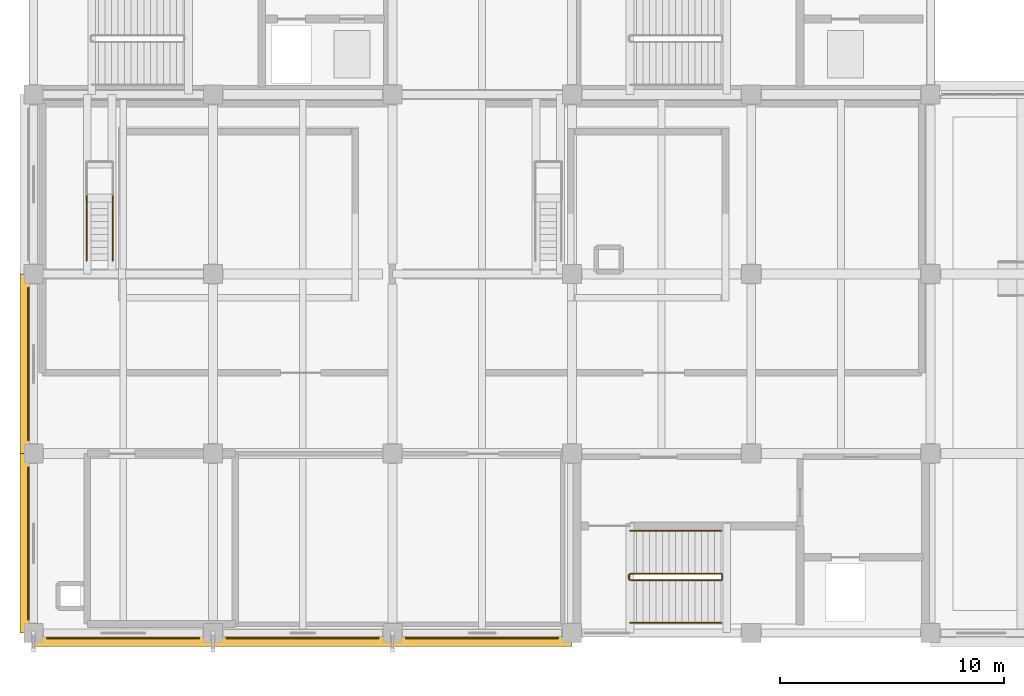
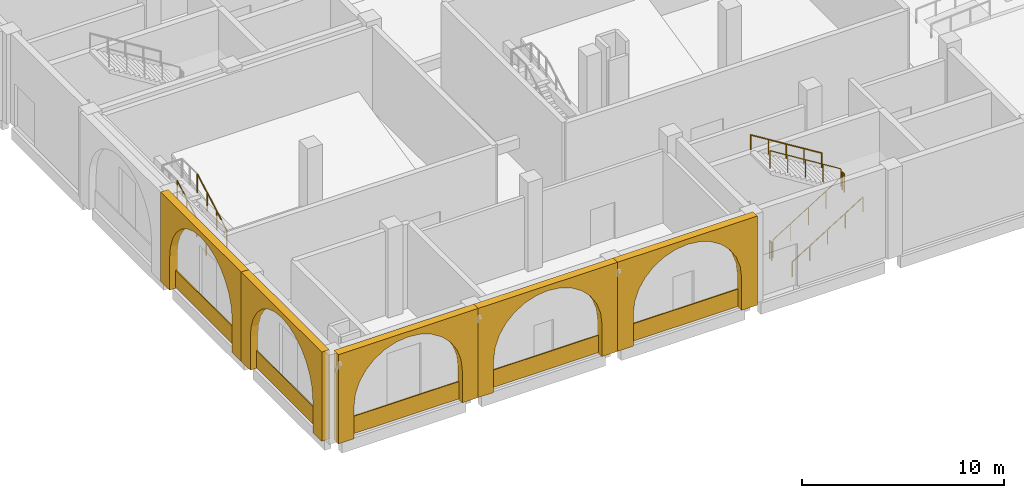
# One storey, part 30 of 40: 10 coverings, 8 railings.
"""IFC4 building model written with IfcOpenShell, lengths in metres."""

import ifcopenshell
import ifcopenshell.guid

model = None  # the IFC model being written
_history = None  # IfcOwnerHistory: only IFC2X3 demands one
_inside = {}  # id of a spatial element -> (the spatial element, [elements in it])
_under = {}  # id of a project, library or spatial element -> (it, [spatial elements below it])
_declared = {}  # id of a project -> (the project, [libraries it declares])
_typed = {}  # id of a type object -> (the type object, [elements of that type])
_made_of = {}  # id of a material, layer set ... -> (it, [elements and type objects made of it])


def new_model(schema):
    """Start an empty IFC model of exactly this schema.

    Asked for "IFC4X3", IfcOpenShell would pick the latest addendum, in which some entities
    have other attributes; the version numbers below select the first issue.
    IFC2X3 requires an IfcOwnerHistory on every rooted entity: one is made here for all.
    """
    global model, _history
    if schema == "IFC4X3":
        model = ifcopenshell.file(schema_version=(4, 3, 0, 0))
    else:
        model = ifcopenshell.file(schema=schema)
    _inside.clear()
    _under.clear()
    _declared.clear()
    _typed.clear()
    _made_of.clear()
    _history = None
    if model.schema == "IFC2X3":
        org = make("IfcOrganization", Name="unknown")
        user = make(
            "IfcPersonAndOrganization",
            ThePerson=make("IfcPerson", FamilyName="unknown"),
            TheOrganization=org,
        )
        app = make(
            "IfcApplication",
            ApplicationDeveloper=org,
            Version="unknown",
            ApplicationFullName="unknown",
            ApplicationIdentifier="unknown",
        )
        _history = make(
            "IfcOwnerHistory",
            OwningUser=user,
            OwningApplication=app,
            ChangeAction="ADDED",
            CreationDate=0,
        )
    return model


def make(cls, **values):
    """One entity of the class cls with the attributes given. An attribute that is None is left unset."""
    return model.create_entity(
        cls, **{name: value for name, value in values.items() if value is not None}
    )


def rooted(cls, **values):
    """An entity with a GlobalId (a new one), such as an element, a storey or a relation."""
    return make(cls, GlobalId=ifcopenshell.guid.new(), OwnerHistory=_history, **values)


def si_unit(unit_type, name, prefix=None):
    """IfcSIUnit, for example si_unit("LENGTHUNIT", "METRE", prefix="MILLI")."""
    return make("IfcSIUnit", UnitType=unit_type, Prefix=prefix, Name=name)


def assignment(units):
    """IfcUnitAssignment: the units of a project."""
    return None if units is None else make("IfcUnitAssignment", Units=units)


def point(xyz):
    """IfcCartesianPoint."""
    return None if xyz is None else make("IfcCartesianPoint", Coordinates=xyz)


def direction(xyz):
    """IfcDirection."""
    return None if xyz is None else make("IfcDirection", DirectionRatios=xyz)


def frame(location, z_axis=None, x_axis=None):
    """IfcAxis2Placement3D, a coordinate frame: its origin and axes. An axis left out is left unset."""
    return make(
        "IfcAxis2Placement3D",
        Location=point(location),
        Axis=direction(z_axis),
        RefDirection=direction(x_axis),
    )


def frame_2d(location, x_axis=None):
    """IfcAxis2Placement2D, a coordinate frame in the plane: its origin and x axis."""
    return make(
        "IfcAxis2Placement2D", Location=point(location), RefDirection=direction(x_axis)
    )


def origin():
    """The frame at (0, 0, 0) with its axes left unset."""
    return frame((0.0, 0.0, 0.0))


def origin_2d():
    """The frame at (0, 0) in the plane with its x axis left unset."""
    return frame_2d((0.0, 0.0))


def place(relative_to, where):
    """IfcLocalPlacement: puts the frame where relative to a parent placement (None: the world)."""
    return make(
        "IfcLocalPlacement", PlacementRelTo=relative_to, RelativePlacement=where
    )


def context(
    kind, dimensions, precision=None, world=None, true_north=None, identifier=None
):
    """IfcGeometricRepresentationContext, for example the 3D "Model" context."""
    return make(
        "IfcGeometricRepresentationContext",
        ContextIdentifier=identifier,
        ContextType=kind,
        CoordinateSpaceDimension=dimensions,
        Precision=precision,
        WorldCoordinateSystem=world,
        TrueNorth=true_north,
    )


def subcontext(parent, identifier, kind, view, scale=None):
    """IfcGeometricRepresentationSubContext, for example "Body" below "Model"."""
    return make(
        "IfcGeometricRepresentationSubContext",
        ContextIdentifier=identifier,
        ContextType=kind,
        ParentContext=parent,
        TargetScale=scale,
        TargetView=view,
    )


def project(units=None, contexts=None):
    """IfcProject with its units and contexts."""
    return rooted(
        "IfcProject",
        Name="project",
        RepresentationContexts=contexts,
        UnitsInContext=assignment(units),
    )


def spatial(cls, under=None, at=None, **own):
    """A site, building, storey or space (cls), placed at a placement, below another one or the project."""
    s = rooted(cls, ObjectPlacement=at, **own)
    if under is not None:
        _under.setdefault(under.id(), (under, []))[1].append(s)
    return s


def polyline(points):
    """IfcPolyline through the points."""
    return make("IfcPolyline", Points=[point(p) for p in points])


def profile(cls, at=None, kind="AREA", **sizes):
    """A parametric profile (cls). Its sizes go by their IFC names, for example OverallWidth=200.0."""
    return make(cls, ProfileType=kind, Position=at, **sizes)


def rectangle(**sizes):
    """IfcRectangleProfileDef."""
    return profile("IfcRectangleProfileDef", **sizes)


def circle(**sizes):
    """IfcCircleProfileDef."""
    return profile("IfcCircleProfileDef", **sizes)


def outline(outer, holes=None, kind="AREA"):
    """IfcArbitraryClosedProfileDef: a profile drawn as a closed curve; with holes, ...WithVoids."""
    if holes is None:
        return make("IfcArbitraryClosedProfileDef", ProfileType=kind, OuterCurve=outer)
    return make(
        "IfcArbitraryProfileDefWithVoids",
        ProfileType=kind,
        OuterCurve=outer,
        InnerCurves=holes,
    )


def extrude(swept, where, along, depth):
    """IfcExtrudedAreaSolid: the profile swept, set in the frame where, extruded along a direction by depth."""
    return make(
        "IfcExtrudedAreaSolid",
        SweptArea=swept,
        Position=where,
        ExtrudedDirection=direction(along),
        Depth=depth,
    )


def shape(context_of_items, identifier, shape_type, items):
    """IfcShapeRepresentation: the items that make up one representation, for example the "Body"."""
    return make(
        "IfcShapeRepresentation",
        ContextOfItems=context_of_items,
        RepresentationIdentifier=identifier,
        RepresentationType=shape_type,
        Items=items,
    )


def material(Name=None, Category=None):
    """IfcMaterial."""
    return make("IfcMaterial", Name=Name, Category=Category)


def layer(
    of_material, thickness, ventilated=None, Name=None, Category=None, Priority=None
):
    """IfcMaterialLayer: one layer of a wall or slab, of a material (None: an air gap)."""
    return make(
        "IfcMaterialLayer",
        Material=of_material,
        LayerThickness=thickness,
        IsVentilated=ventilated,
        Name=Name,
        Category=Category,
        Priority=Priority,
    )


def layer_set(layers, Name=None):
    """IfcMaterialLayerSet."""
    return make("IfcMaterialLayerSet", MaterialLayers=layers, LayerSetName=Name)


def made_of(thing, what):
    """Note that an element or type object is made of a material, layer set ...; save() writes the relation."""
    if what is not None:
        _made_of.setdefault(what.id(), (what, []))[1].append(thing)
    return thing


def type_object(cls, material=None, **own):
    """A type object (cls), such as IfcWallType, which elements share."""
    return made_of(rooted(cls, **own), material)


def element(
    cls,
    number,
    at=None,
    inside=None,
    cuts=None,
    type_object=None,
    material=None,
    context=None,
    identifier="Body",
    shape_type=None,
    held_by="IfcProductDefinitionShape",
    body=None,
    shapes=None,
    **own,
):
    """One element of the class cls, such as IfcWall. Its Tag is "e" and its number.

    at: its placement. inside: the storey or other place that contains it. cuts: it is an
    opening in that element (IfcRelVoidsElement). A single representation is given by context,
    identifier, shape_type and body (its items); several are given by shapes. held_by: the class
    of the entity that holds the representations. save() writes the other relations.
    """
    e = rooted(cls, Tag="e%d" % number, ObjectPlacement=at, **own)
    if body is not None:
        shapes = [shape(context, identifier, shape_type, body)]
    if shapes is not None:
        e.Representation = make(held_by, Representations=shapes)
    if inside is not None:
        _inside.setdefault(inside.id(), (inside, []))[1].append(e)
    if cuts is not None:
        rooted(
            "IfcRelVoidsElement", RelatingBuildingElement=cuts, RelatedOpeningElement=e
        )
    if type_object is not None:
        _typed.setdefault(type_object.id(), (type_object, []))[1].append(e)
    return made_of(e, material)


def aggregate(whole, parts):
    """IfcRelAggregates: a whole, such as a stair, and the parts it consists of."""
    return rooted("IfcRelAggregates", RelatingObject=whole, RelatedObjects=parts)


def save(model, path):
    """Write the relations noted so far, then the file.

    IfcRelAggregates (storeys below a building ...), IfcRelContainedInSpatialStructure (elements
    in a storey), IfcRelDefinesByType, IfcRelAssociatesMaterial and IfcRelDeclares: one each for
    every whole, place, type object, material and project.
    """
    for whole, parts in _under.values():
        aggregate(whole, parts)
    for where, things in _inside.values():
        rooted(
            "IfcRelContainedInSpatialStructure",
            RelatedElements=things,
            RelatingStructure=where,
        )
    for kind, things in _typed.values():
        rooted("IfcRelDefinesByType", RelatedObjects=things, RelatingType=kind)
    for what, things in _made_of.values():
        rooted("IfcRelAssociatesMaterial", RelatedObjects=things, RelatingMaterial=what)
    for by, libraries in _declared.values():
        rooted("IfcRelDeclares", RelatingContext=by, RelatedDefinitions=libraries)
    model.write(path)


model = new_model("IFC4")

# Units and contexts
model_context = context("Model", 3, precision=1e-05, world=origin(), true_north=direction((0.0, 1.0)))
body_context = subcontext(model_context, "Body", "Model", "MODEL_VIEW")
ifc_project = project(units=[si_unit("LENGTHUNIT", "METRE"), si_unit("AREAUNIT", "SQUARE_METRE"), si_unit("VOLUMEUNIT", "CUBIC_METRE"), si_unit("PLANEANGLEUNIT", "RADIAN"), si_unit("MASSUNIT", "GRAM", prefix="KILO")], contexts=[model_context])

# Site, building, storey
site_placement = place(None, origin())
site = spatial("IfcSite", under=ifc_project, at=site_placement, CompositionType="ELEMENT")
building_placement = place(site_placement, origin())
building = spatial("IfcBuilding", under=site, at=building_placement, Name="Qorikala Patio Media Centre", CompositionType="ELEMENT")
storey_placement = place(building_placement, origin())
storey = spatial("IfcBuildingStorey", under=building, at=storey_placement, Name="L00", CompositionType="ELEMENT", Elevation=0.0)

# Coverings
ifc_material_1 = material(Name="Comanche Granite Ashlar Stone", Category="masonry")
ifc_layer = layer(ifc_material_1, 0.06005859375)
ifc_layer_set = layer_set([ifc_layer], Name="Comanche Granite Ashlar Stone")
covering_type = type_object("IfcCoveringType", Name="COV-CLAD-STONE", PredefinedType="CLADDING", material=ifc_layer_set)
for number, where, z_axis, x_axis, name in (
    (1, (23.0, 2.780029296875, 0.02490234375), (0.0, 0.0, 1.0), (-1.0, 0.0, 0.0), "L00 Comanche Granite Plinth Cladding 001"),
    (2, (15.0, 2.780029296875, 0.02490234375), (0.0, 0.0, 1.0), (-1.0, 0.0, 0.0), "L00 Comanche Granite Plinth Cladding 002"),
    (3, (7.0, 2.780029296875, 0.02490234375), (0.0, 0.0, 1.0), (-1.0, 0.0, 0.0), "L00 Comanche Granite Plinth Cladding 003"),
    (4, (2.780029296875, 7.0, 0.02490234375), (0.0, 0.0, 1.0), (0.0, 1.0, 0.0), "L00 Comanche Granite Plinth Cladding 004"),
    (5, (2.780029296875, 15.0, 0.02490234375), (0.0, 0.0, 1.0), (0.0, 1.0, 0.0), "L00 Comanche Granite Plinth Cladding 005"),
):
    element("IfcCovering", number, at=place(storey_placement, frame(where, z_axis=z_axis, x_axis=x_axis)), inside=storey, type_object=covering_type, Name=name, PredefinedType="CLADDING", context=body_context, shape_type="SweptSolid", body=[
        extrude(rectangle(XDim=6.800048828125, YDim=0.06005859375, at=origin_2d()), origin(), (0.0, 0.0, 1.0), 1.050048828125),
    ])
for number, where, z_axis, x_axis, name in (
    (6, (3.0, 2.6201171875, 0.0), (0.0, 0.0, 1.0), (1.0, 0.0, 0.0), "Spanish Colonial Stone Arched Arcade PORT-S1"),
    (7, (11.0, 2.6201171875, 0.0), (0.0, 0.0, 1.0), (1.0, 0.0, 0.0), "Spanish Colonial Stone Arched Arcade PORT-S2"),
    (8, (19.0, 2.6201171875, 0.0), (0.0, 0.0, 1.0), (1.0, 0.0, 0.0), "Spanish Colonial Stone Arched Arcade PORT-S3"),
    (9, (2.6201171875, 3.0, 0.0), (0.0, 0.0, 1.0), (0.0, 1.0, 0.0), "Spanish Colonial Stone Arched Arcade PORT-W1"),
    (10, (2.6201171875, 11.0, 0.0), (0.0, 0.0, 1.0), (0.0, 1.0, 0.0), "Spanish Colonial Stone Arched Arcade PORT-W2"),
):
    element("IfcCovering", number, at=place(storey_placement, frame(where, z_axis=z_axis, x_axis=x_axis)), inside=storey, type_object=covering_type, Name=name, PredefinedType="CLADDING", context=body_context, shape_type="SweptSolid", body=[
        extrude(outline(polyline([(0.0, 0.0), (0.89990234375, 0.0), (0.89990234375, 1.97998046875), (0.977783203125, 2.669677734375), (1.20703125, 3.324951171875), (1.576416015625, 3.91259765625), (2.067138671875, 4.403564453125), (2.655029296875, 4.77294921875), (3.310302734375, 5.002197265625), (4.0, 5.079833984375), (4.689697265625, 5.002197265625), (5.344970703125, 4.77294921875), (5.932861328125, 4.403564453125), (6.423583984375, 3.91259765625), (6.79296875, 3.324951171875), (7.022216796875, 2.669677734375), (7.10009765625, 1.97998046875), (7.10009765625, 0.0), (8.0, 0.0), (8.0, 5.39990234375), (0.0, 5.39990234375), (0.0, 0.0)])), frame((0.0, 0.219970703125, 0.0), z_axis=(0.0, -1.0, 0.0), x_axis=(1.0, 0.0, 0.0)), (0.0, 0.0, 1.0), 0.43994140625),
    ])

# Railings
ifc_material_2 = material(Name="Wrought Bronze and Steel S355", Category="steel")
railing_type_1 = type_object("IfcRailingType", Name="RL-GUARD-110", PredefinedType="GUARDRAIL", material=ifc_material_2)
railing_1_placement = place(storey_placement, frame((29.60009765625, 5.35009765625, 0.179931640625)))
element("IfcRailing", 11, at=railing_1_placement, inside=storey, type_object=railing_type_1, Name="L00 ST-1 stair guard 1", PredefinedType="GUARDRAIL", context=body_context, shape_type="SweptSolid", body=[
    extrude(circle(Radius=0.02392578125, at=origin_2d()), frame((0.0, 0.0, 1.076171875), z_axis=(0.849627535208, 0.0, 0.527383211162), x_axis=(0.0, 1.0, 0.0)), (0.0, 0.0, 1.0), 4.7783203125),
    extrude(circle(Radius=0.02099609375, at=origin_2d()), origin(), (0.0, 0.0, 1.0), 1.052001953125),
    extrude(circle(Radius=0.02099609375, at=origin_2d()), frame((1.014892578125, 0.0, 0.6298828125)), (0.0, 0.0, 1.0), 1.052001953125),
    extrude(circle(Radius=0.02099609375, at=origin_2d()), frame((2.02978515625, 0.0, 1.260009765625)), (0.0, 0.0, 1.0), 1.052001953125),
    extrude(circle(Radius=0.02099609375, at=origin_2d()), frame((3.044921875, 0.0, 1.89013671875)), (0.0, 0.0, 1.0), 1.052001953125),
    extrude(circle(Radius=0.02099609375, at=origin_2d()), frame((4.059814453125, 0.0, 2.52001953125)), (0.0, 0.0, 1.0), 1.052001953125),
])
railing_2_placement = place(storey_placement, frame((33.7099609375, 5.39990234375, 2.699951171875)))
element("IfcRailing", 12, at=railing_2_placement, inside=storey, type_object=railing_type_1, Name="L00 ST-1 stair guard 2", PredefinedType="GUARDRAIL", context=body_context, shape_type="SweptSolid", body=[
    extrude(circle(Radius=0.02392578125, at=origin_2d()), frame((0.0, 0.0, 1.076171875), z_axis=(0.0, 1.0, 0.0), x_axis=(-1.0, 0.0, 0.0)), (0.0, 0.0, 1.0), 0.2001953125),
    extrude(circle(Radius=0.02099609375, at=origin_2d()), origin(), (0.0, 0.0, 1.0), 1.052001953125),
    extrude(circle(Radius=0.02099609375, at=origin_2d()), frame((0.0, 0.2001953125, 0.0)), (0.0, 0.0, 1.0), 1.052001953125),
])
railing_3_placement = place(storey_placement, frame((33.659912109375, 5.64990234375, 2.8798828125)))
element("IfcRailing", 13, at=railing_3_placement, inside=storey, type_object=railing_type_1, Name="L00 ST-1 stair guard 3", PredefinedType="GUARDRAIL", context=body_context, shape_type="SweptSolid", body=[
    extrude(circle(Radius=0.02392578125, at=origin_2d()), frame((0.0, 0.0, 1.076171875), z_axis=(-0.849627535208, 0.0, 0.527383211162), x_axis=(0.0, -1.0, 0.0)), (0.0, 0.0, 1.0), 4.7783203125),
    extrude(circle(Radius=0.02099609375, at=origin_2d()), origin(), (0.0, 0.0, 1.0), 1.052001953125),
    extrude(circle(Radius=0.02099609375, at=origin_2d()), frame((-1.014892578125, 0.0, 0.6298828125)), (0.0, 0.0, 1.0), 1.052001953125),
    extrude(circle(Radius=0.02099609375, at=origin_2d()), frame((-2.02978515625, 0.0, 1.260009765625)), (0.0, 0.0, 1.0), 1.052001953125),
    extrude(circle(Radius=0.02099609375, at=origin_2d()), frame((-3.044921875, 0.0, 1.89013671875)), (0.0, 0.0, 1.0), 1.052001953125),
    extrude(circle(Radius=0.02099609375, at=origin_2d()), frame((-4.059814453125, 0.0, 2.52001953125)), (0.0, 0.0, 1.0), 1.052001953125),
])
railing_4_placement = place(storey_placement, frame((29.550048828125, 5.39990234375, 0.0)))
element("IfcRailing", 14, at=railing_4_placement, inside=storey, type_object=railing_type_1, Name="L00 ST-1 stair guard 4", PredefinedType="GUARDRAIL", context=body_context, shape_type="SweptSolid", body=[
    extrude(circle(Radius=0.02392578125, at=origin_2d()), frame((0.0, 0.0, 1.076171875), z_axis=(0.0, 1.0, 0.0), x_axis=(-1.0, 0.0, 0.0)), (0.0, 0.0, 1.0), 0.2001953125),
    extrude(circle(Radius=0.02099609375, at=origin_2d()), origin(), (0.0, 0.0, 1.0), 1.052001953125),
    extrude(circle(Radius=0.02099609375, at=origin_2d()), frame((0.0, 0.2001953125, 0.0)), (0.0, 0.0, 1.0), 1.052001953125),
])
ifc_material_3 = material(Name="Brushed Bronze Tubular Steel S355", Category="steel")
railing_type_2 = type_object("IfcRailingType", Name="RL-HAND-090", PredefinedType="HANDRAIL", material=ifc_material_3)
railing_5_placement = place(storey_placement, frame((29.60009765625, 3.449951171875, 0.179931640625)))
element("IfcRailing", 15, at=railing_5_placement, inside=storey, type_object=railing_type_2, Name="L00 ST-1 stair handrail 1", PredefinedType="HANDRAIL", context=body_context, shape_type="SweptSolid", body=[
    extrude(circle(Radius=0.02392578125, at=origin_2d()), frame((0.0, 0.0, 0.8759765625), z_axis=(0.849627535208, 0.0, 0.527383211162), x_axis=(0.0, 1.0, 0.0)), (0.0, 0.0, 1.0), 4.7783203125),
    extrude(circle(Radius=0.02099609375, at=origin_2d()), origin(), (0.0, 0.0, 1.0), 0.851806640625),
    extrude(circle(Radius=0.02099609375, at=origin_2d()), frame((1.014892578125, 0.0, 0.6298828125)), (0.0, 0.0, 1.0), 0.851806640625),
    extrude(circle(Radius=0.02099609375, at=origin_2d()), frame((2.02978515625, 0.0, 1.260009765625)), (0.0, 0.0, 1.0), 0.851806640625),
    extrude(circle(Radius=0.02099609375, at=origin_2d()), frame((3.044921875, 0.0, 1.89013671875)), (0.0, 0.0, 1.0), 0.851806640625),
    extrude(circle(Radius=0.02099609375, at=origin_2d()), frame((4.059814453125, 0.0, 2.52001953125)), (0.0, 0.0, 1.0), 0.851806640625),
])
railing_6_placement = place(storey_placement, frame((33.659912109375, 7.550048828125, 2.8798828125)))
element("IfcRailing", 16, at=railing_6_placement, inside=storey, type_object=railing_type_2, Name="L00 ST-1 stair handrail 2", PredefinedType="HANDRAIL", context=body_context, shape_type="SweptSolid", body=[
    extrude(circle(Radius=0.02392578125, at=origin_2d()), frame((0.0, 0.0, 0.8759765625), z_axis=(-0.849627535208, 0.0, 0.527383211162), x_axis=(0.0, -1.0, 0.0)), (0.0, 0.0, 1.0), 4.7783203125),
    extrude(circle(Radius=0.02099609375, at=origin_2d()), origin(), (0.0, 0.0, 1.0), 0.851806640625),
    extrude(circle(Radius=0.02099609375, at=origin_2d()), frame((-1.014892578125, 0.0, 0.6298828125)), (0.0, 0.0, 1.0), 0.851806640625),
    extrude(circle(Radius=0.02099609375, at=origin_2d()), frame((-2.02978515625, 0.0, 1.260009765625)), (0.0, 0.0, 1.0), 0.851806640625),
    extrude(circle(Radius=0.02099609375, at=origin_2d()), frame((-3.044921875, 0.0, 1.89013671875)), (0.0, 0.0, 1.0), 0.851806640625),
    extrude(circle(Radius=0.02099609375, at=origin_2d()), frame((-4.059814453125, 0.0, 2.52001953125)), (0.0, 0.0, 1.0), 0.851806640625),
])
ifc_material_4 = material(Name="Wrought Bronze Baluster Guardrail")
railing_type_3 = type_object("IfcRailingType", Name="RL-TERR-115", PredefinedType="GUARDRAIL", material=ifc_material_4)
for number, where, name in (
    (17, (5.3701171875, 19.60009765625, 0.16357421875), "Vomitory Stair VS-01 Flight Guard L"),
    (18, (6.530029296875, 19.60009765625, 0.16357421875), "Vomitory Stair VS-01 Flight Guard R"),
):
    element("IfcRailing", number, at=place(storey_placement, frame(where)), inside=storey, type_object=railing_type_3, Name=name, PredefinedType="GUARDRAIL", context=body_context, shape_type="SweptSolid", body=[
        extrude(circle(Radius=0.02392578125, at=origin_2d()), frame((0.0, 0.0, 1.1259765625), z_axis=(0.0, 0.870897200241, 0.491465224214), x_axis=(-1.0, 0.0, 0.0)), (0.0, 0.0, 1.0), 3.329833984375),
        extrude(circle(Radius=0.02099609375, at=origin_2d()), origin(), (0.0, 0.0, 1.0), 1.101806640625),
        extrude(circle(Radius=0.02099609375, at=origin_2d()), frame((0.0, 0.966552734375, 0.54541015625)), (0.0, 0.0, 1.0), 1.101806640625),
        extrude(circle(Radius=0.02099609375, at=origin_2d()), frame((0.0, 1.933349609375, 1.091064453125)), (0.0, 0.0, 1.0), 1.101806640625),
        extrude(circle(Radius=0.02099609375, at=origin_2d()), frame((0.0, 2.89990234375, 1.636474609375)), (0.0, 0.0, 1.0), 1.101806640625),
    ])

save(model, "model.ifc")
